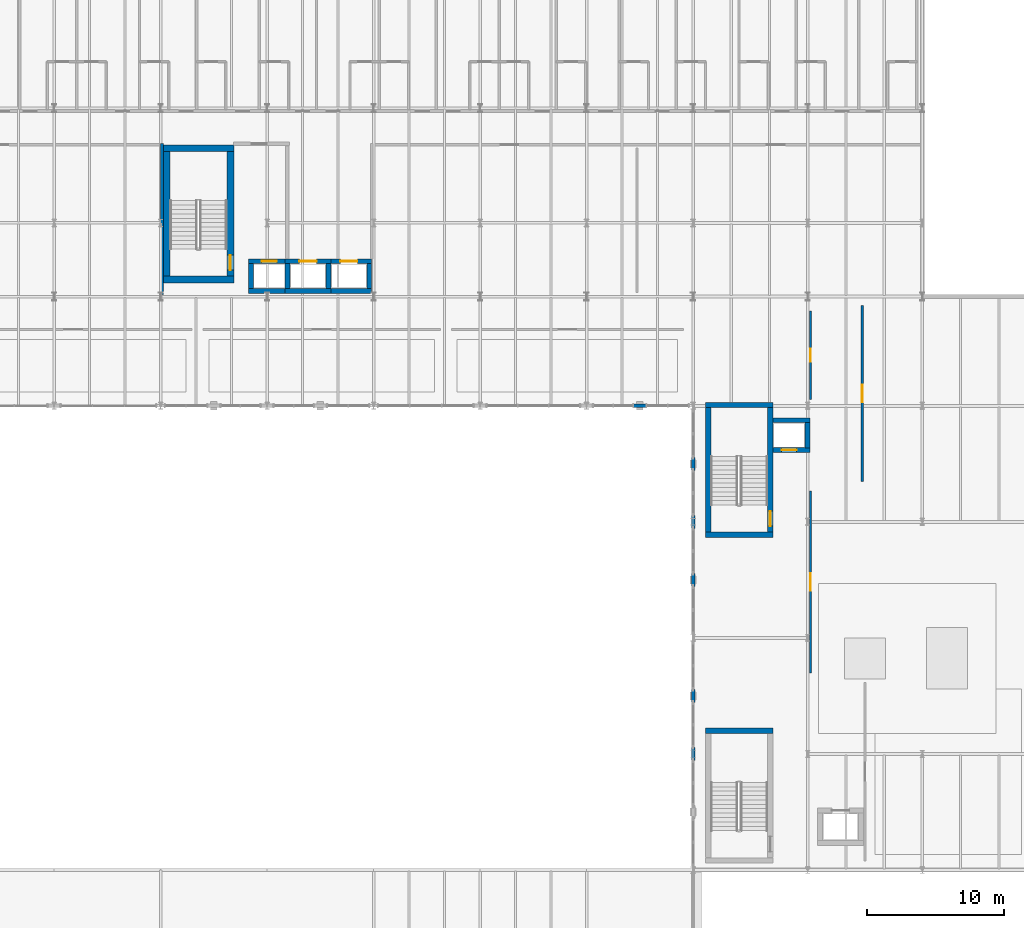
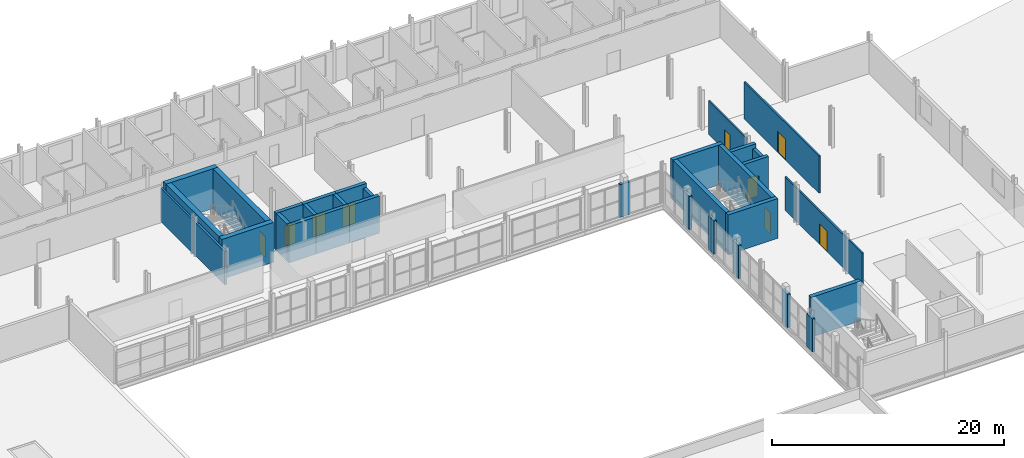
# One storey, part 45 of 58: 32 walls, 9 doors, 9 openings.
"""IFC4 building model written with IfcOpenShell, lengths in metres."""

from ifc_helpers import new_model, si_unit, direction, frame, frame_2d, origin, place, context, subcontext, project, spatial, rectangle, extrude, material, layer, layer_set, type_object, element, fill, save


model = new_model("IFC4")

# Units and contexts
model_context = context("Model", 3, precision=1e-05, world=origin(), true_north=direction((0.0, 1.0)))
body_context = subcontext(model_context, "Body", "Model", "MODEL_VIEW")
ifc_project = project(units=[si_unit("LENGTHUNIT", "METRE"), si_unit("AREAUNIT", "SQUARE_METRE"), si_unit("VOLUMEUNIT", "CUBIC_METRE"), si_unit("PLANEANGLEUNIT", "RADIAN"), si_unit("MASSUNIT", "GRAM", prefix="KILO")], contexts=[model_context])

# Site, building, storey
site_placement = place(None, origin())
site = spatial("IfcSite", under=ifc_project, at=site_placement, CompositionType="ELEMENT")
building_placement = place(site_placement, origin())
building = spatial("IfcBuilding", under=site, at=building_placement, Name="Sefraquen Railside Congress Hotel", CompositionType="ELEMENT")
storey_placement = place(building_placement, frame((0.0, 0.0, 16.199951171875)))
storey = spatial("IfcBuildingStorey", under=building, at=storey_placement, Name="L03", CompositionType="ELEMENT", Elevation=16.199951171875)

# Wall, opening, door
ifc_material_1 = material(Name="Concrete C50/60", Category="concrete")
ifc_layer_1 = layer(ifc_material_1, 0.35009765625)
ifc_layer_set_1 = layer_set([ifc_layer_1], Name="Concrete C50/60")
wall_type_1 = type_object("IfcWallType", Name="TW-CW-350", PredefinedType="SHEAR", material=ifc_layer_set_1)
wall_1_placement = place(storey_placement, frame((70.639892578125, 98.594970703125, 0.0), z_axis=(0.0, 0.0, 1.0), x_axis=(1.0, 0.0, 0.0)))
wall_1 = element("IfcWall", 1, at=wall_1_placement, inside=storey, type_object=wall_type_1, Name="Lift FL-03 shaft wall N L03", PredefinedType="SHEAR", context=body_context, shape_type="SweptSolid", body=[
    extrude(rectangle(XDim=2.690185546875, YDim=0.35009765625, at=frame_2d((1.34521484375, 0.0))), origin(), (0.0, 0.0, 1.0), 3.920166015625),
])
opening_1_placement = place(wall_1_placement, frame((0.969970703125, 0.0, 0.0)))
opening_1 = element("IfcOpeningElement", 2, at=opening_1_placement, cuts=wall_1, Name="Opening LD-01", PredefinedType="OPENING", context=body_context, shape_type="SweptSolid", body=[
    extrude(rectangle(XDim=1.10009765625, YDim=2.199951171875, at=frame_2d((0.550048828125, 1.10009765625))), frame((0.0, 0.18505859375, 0.0), z_axis=(0.0, -1.0, 0.0), x_axis=(1.0, 0.0, 0.0)), (0.0, 0.0, 1.0), 0.3701171875),
])
ifc_material_2 = material(Name="Brushed bronze stainless steel", Category="steel")
door_type_1 = type_object("IfcDoorType", Name="TD-LD-01", OperationType="NOTDEFINED", PredefinedType="DOOR", material=ifc_material_2)
door_1_placement = place(opening_1_placement, origin())
door_1 = element("IfcDoor", 3, at=door_1_placement, inside=storey, type_object=door_type_1, Name="Lift landing door FL-03 L03", OperationType="SLIDING_TO_LEFT", OverallHeight=2.199951171875, OverallWidth=1.10009765625, PredefinedType="DOOR", context=body_context, shape_type="SweptSolid", body=[
    extrude(rectangle(XDim=1.10009765625, YDim=2.199951171875, at=frame_2d((0.550048828125, 1.10009765625))), frame((0.0, 0.02490234375, 0.0), z_axis=(0.0, -1.0, 0.0), x_axis=(1.0, 0.0, 0.0)), (0.0, 0.0, 1.0), 0.050048828125),
])
fill(opening_1, door_1)

# Walls
wall_2_placement = place(storey_placement, frame((70.639892578125, 96.405029296875, 0.0), z_axis=(0.0, 0.0, 1.0), x_axis=(1.0, 0.0, 0.0)))
element("IfcWall", 4, at=wall_2_placement, inside=storey, type_object=wall_type_1, Name="Lift FL-03 shaft wall S L03", PredefinedType="SHEAR", context=body_context, shape_type="SweptSolid", body=[
    extrude(rectangle(XDim=2.690185546875, YDim=0.35009765625, at=frame_2d((1.34521484375, 0.0))), origin(), (0.0, 0.0, 1.0), 3.920166015625),
])
wall_3_placement = place(storey_placement, frame((70.81494140625, 96.580078125, 0.0), z_axis=(0.0, 0.0, 1.0), x_axis=(0.0, 1.0, 0.0)))
element("IfcWall", 5, at=wall_3_placement, inside=storey, type_object=wall_type_1, Name="Lift FL-03 shaft wall W L03", PredefinedType="SHEAR", context=body_context, shape_type="SweptSolid", body=[
    extrude(rectangle(XDim=1.83984375, YDim=0.35009765625, at=frame_2d((0.919921875, 0.0))), origin(), (0.0, 0.0, 1.0), 3.920166015625),
])

# Wall, opening, door
wall_4_placement = place(storey_placement, frame((73.330078125, 98.594970703125, 0.0), z_axis=(0.0, 0.0, 1.0), x_axis=(1.0, 0.0, 0.0)))
wall_4 = element("IfcWall", 6, at=wall_4_placement, inside=storey, type_object=wall_type_1, Name="Lift PL-05 shaft wall N L03", PredefinedType="SHEAR", context=body_context, shape_type="SweptSolid", body=[
    extrude(rectangle(XDim=3.33984375, YDim=0.35009765625, at=frame_2d((1.669921875, 0.0))), origin(), (0.0, 0.0, 1.0), 3.920166015625),
])
opening_2_placement = place(wall_4_placement, frame((1.044921875, 0.0, 0.0)))
opening_2 = element("IfcOpeningElement", 7, at=opening_2_placement, cuts=wall_4, Name="Opening LD-02", PredefinedType="OPENING", context=body_context, shape_type="SweptSolid", body=[
    extrude(rectangle(XDim=1.25, YDim=2.25, at=frame_2d((0.625, 1.125))), frame((0.0, 0.18505859375, 0.0), z_axis=(0.0, -1.0, 0.0), x_axis=(1.0, 0.0, 0.0)), (0.0, 0.0, 1.0), 0.3701171875),
])
ifc_material_3 = material(Name="Brushed stainless steel", Category="steel")
door_type_2 = type_object("IfcDoorType", Name="TD-LD-02", OperationType="NOTDEFINED", PredefinedType="DOOR", material=ifc_material_3)
door_2_placement = place(opening_2_placement, origin())
door_2 = element("IfcDoor", 8, at=door_2_placement, inside=storey, type_object=door_type_2, Name="Lift landing door PL-05 L03", OperationType="SLIDING_TO_LEFT", OverallHeight=2.25, OverallWidth=1.25, PredefinedType="DOOR", context=body_context, shape_type="SweptSolid", body=[
    extrude(rectangle(XDim=1.25, YDim=2.25, at=frame_2d((0.625, 1.125))), frame((0.0, 0.02490234375, 0.0), z_axis=(0.0, -1.0, 0.0), x_axis=(1.0, 0.0, 0.0)), (0.0, 0.0, 1.0), 0.050048828125),
])
fill(opening_2, door_2)

# Walls
wall_5_placement = place(storey_placement, frame((73.330078125, 96.405029296875, 0.0), z_axis=(0.0, 0.0, 1.0), x_axis=(1.0, 0.0, 0.0)))
element("IfcWall", 9, at=wall_5_placement, inside=storey, type_object=wall_type_1, Name="Lift PL-05 shaft wall S L03", PredefinedType="SHEAR", context=body_context, shape_type="SweptSolid", body=[
    extrude(rectangle(XDim=3.33984375, YDim=0.35009765625, at=frame_2d((1.669921875, 0.0))), origin(), (0.0, 0.0, 1.0), 3.920166015625),
])
for number, where, z_axis, x_axis, name in (
    (10, (73.5048828125, 96.580078125, 0.0), (0.0, 0.0, 1.0), (0.0, 1.0, 0.0), "Lift PL-05 shaft wall W L03"),
    (11, (76.4951171875, 96.580078125, 0.0), (0.0, 0.0, 1.0), (0.0, 1.0, 0.0), "Lift PL-05 shaft wall E L03"),
):
    element("IfcWall", number, at=place(storey_placement, frame(where, z_axis=z_axis, x_axis=x_axis)), inside=storey, type_object=wall_type_1, Name=name, PredefinedType="SHEAR", context=body_context, shape_type="SweptSolid", body=[
        extrude(rectangle(XDim=1.83984375, YDim=0.35009765625, at=frame_2d((0.919921875, 0.0))), origin(), (0.0, 0.0, 1.0), 3.920166015625),
    ])

# Wall, opening, door
wall_6_placement = place(storey_placement, frame((76.669921875, 98.594970703125, 0.0), z_axis=(0.0, 0.0, 1.0), x_axis=(1.0, 0.0, 0.0)))
wall_6 = element("IfcWall", 12, at=wall_6_placement, inside=storey, type_object=wall_type_1, Name="Lift PL-06 shaft wall N L03", PredefinedType="SHEAR", context=body_context, shape_type="SweptSolid", body=[
    extrude(rectangle(XDim=2.989990234375, YDim=0.35009765625, at=frame_2d((1.4951171875, 0.0))), origin(), (0.0, 0.0, 1.0), 3.920166015625),
])
opening_3_placement = place(wall_6_placement, frame((0.695068359375, 0.0, 0.0)))
opening_3 = element("IfcOpeningElement", 13, at=opening_3_placement, cuts=wall_6, Name="Opening LD-02", PredefinedType="OPENING", context=body_context, shape_type="SweptSolid", body=[
    extrude(rectangle(XDim=1.25, YDim=2.25, at=frame_2d((0.625, 1.125))), frame((0.0, 0.18505859375, 0.0), z_axis=(0.0, -1.0, 0.0), x_axis=(1.0, 0.0, 0.0)), (0.0, 0.0, 1.0), 0.3701171875),
])
door_3_placement = place(opening_3_placement, origin())
door_3 = element("IfcDoor", 14, at=door_3_placement, inside=storey, type_object=door_type_2, Name="Lift landing door PL-06 L03", OperationType="SLIDING_TO_LEFT", OverallHeight=2.25, OverallWidth=1.25, PredefinedType="DOOR", context=body_context, shape_type="SweptSolid", body=[
    extrude(rectangle(XDim=1.25, YDim=2.25, at=frame_2d((0.625, 1.125))), frame((0.0, 0.02490234375, 0.0), z_axis=(0.0, -1.0, 0.0), x_axis=(1.0, 0.0, 0.0)), (0.0, 0.0, 1.0), 0.050048828125),
])
fill(opening_3, door_3)

# Walls
wall_7_placement = place(storey_placement, frame((76.669921875, 96.405029296875, 0.0), z_axis=(0.0, 0.0, 1.0), x_axis=(1.0, 0.0, 0.0)))
element("IfcWall", 15, at=wall_7_placement, inside=storey, type_object=wall_type_1, Name="Lift PL-06 shaft wall S L03", PredefinedType="SHEAR", context=body_context, shape_type="SweptSolid", body=[
    extrude(rectangle(XDim=2.989990234375, YDim=0.35009765625, at=frame_2d((1.4951171875, 0.0))), origin(), (0.0, 0.0, 1.0), 3.920166015625),
])
wall_8_placement = place(storey_placement, frame((79.485107421875, 96.580078125, 0.0), z_axis=(0.0, 0.0, 1.0), x_axis=(0.0, 1.0, 0.0)))
element("IfcWall", 16, at=wall_8_placement, inside=storey, type_object=wall_type_1, Name="Lift PL-06 shaft wall E L03", PredefinedType="SHEAR", context=body_context, shape_type="SweptSolid", body=[
    extrude(rectangle(XDim=1.83984375, YDim=0.35009765625, at=frame_2d((0.919921875, 0.0))), origin(), (0.0, 0.0, 1.0), 3.510009765625),
])
wall_9_placement = place(storey_placement, frame((109.06005859375, 86.945068359375, 0.0), z_axis=(0.0, 0.0, 1.0), x_axis=(1.0, 0.0, 0.0)))
element("IfcWall", 17, at=wall_9_placement, inside=storey, type_object=wall_type_1, Name="Lift PL-07 shaft wall N L03", PredefinedType="SHEAR", context=body_context, shape_type="SweptSolid", body=[
    extrude(rectangle(XDim=2.68994140625, YDim=0.35009765625, at=frame_2d((1.344970703125, 0.0))), origin(), (0.0, 0.0, 1.0), 3.920166015625),
])

# Wall, opening, door
wall_10_placement = place(storey_placement, frame((109.06005859375, 84.7548828125, 0.0), z_axis=(0.0, 0.0, 1.0), x_axis=(1.0, 0.0, 0.0)))
wall_10 = element("IfcWall", 18, at=wall_10_placement, inside=storey, type_object=wall_type_1, Name="Lift PL-07 shaft wall S L03", PredefinedType="SHEAR", context=body_context, shape_type="SweptSolid", body=[
    extrude(rectangle(XDim=2.68994140625, YDim=0.35009765625, at=frame_2d((1.344970703125, 0.0))), origin(), (0.0, 0.0, 1.0), 3.920166015625),
])
opening_4_placement = place(wall_10_placement, frame((0.6201171875, 0.0, 0.0)))
opening_4 = element("IfcOpeningElement", 19, at=opening_4_placement, cuts=wall_10, Name="Opening LD-01", PredefinedType="OPENING", context=body_context, shape_type="SweptSolid", body=[
    extrude(rectangle(XDim=1.10009765625, YDim=2.199951171875, at=frame_2d((0.550048828125, 1.10009765625))), frame((0.0, 0.18505859375, 0.0), z_axis=(0.0, -1.0, 0.0), x_axis=(1.0, 0.0, 0.0)), (0.0, 0.0, 1.0), 0.3701171875),
])
door_4_placement = place(opening_4_placement, origin())
door_4 = element("IfcDoor", 20, at=door_4_placement, inside=storey, type_object=door_type_1, Name="Lift landing door PL-07 L03", OperationType="SLIDING_TO_LEFT", OverallHeight=2.199951171875, OverallWidth=1.10009765625, PredefinedType="DOOR", context=body_context, shape_type="SweptSolid", body=[
    extrude(rectangle(XDim=1.10009765625, YDim=2.199951171875, at=frame_2d((0.550048828125, 1.10009765625))), frame((0.0, 0.02490234375, 0.0), z_axis=(0.0, -1.0, 0.0), x_axis=(1.0, 0.0, 0.0)), (0.0, 0.0, 1.0), 0.050048828125),
])
fill(opening_4, door_4)

# Walls
wall_11_placement = place(storey_placement, frame((111.574951171875, 84.929931640625, 0.0), z_axis=(0.0, 0.0, 1.0), x_axis=(0.0, 1.0, 0.0)))
element("IfcWall", 21, at=wall_11_placement, inside=storey, type_object=wall_type_1, Name="Lift PL-07 shaft wall E L03", PredefinedType="SHEAR", context=body_context, shape_type="SweptSolid", body=[
    extrude(rectangle(XDim=1.840087890625, YDim=0.35009765625, at=frame_2d((0.919921875, 0.0))), origin(), (0.0, 0.0, 1.0), 3.510009765625),
])
ifc_layer_2 = layer(ifc_material_1, 0.39990234375)
ifc_layer_set_2 = layer_set([ifc_layer_2], Name="Concrete C50/60")
wall_type_2 = type_object("IfcWallType", Name="TW-CW-400", PredefinedType="SHEAR", material=ifc_layer_set_2)
for number, where, z_axis, x_axis, name in (
    (22, (104.10009765625, 88.06201171875, 0.0), (0.0, 0.0, 1.0), (1.0, 0.0, 0.0), "Core shear wall ST-M01 N L03"),
    (23, (104.10009765625, 78.550048828125, 0.0), (0.0, 0.0, 1.0), (1.0, 0.0, 0.0), "Core shear wall ST-M01 S L03"),
):
    element("IfcWall", number, at=place(storey_placement, frame(where, z_axis=z_axis, x_axis=x_axis)), inside=storey, type_object=wall_type_2, Name=name, PredefinedType="SHEAR", context=body_context, shape_type="SweptSolid", body=[
        extrude(rectangle(XDim=4.9599609375, YDim=0.39990234375, at=frame_2d((2.47998046875, 0.0))), origin(), (0.0, 0.0, 1.0), 4.199951171875),
    ])
wall_12_placement = place(storey_placement, frame((104.300048828125, 78.75, 0.0), z_axis=(0.0, 0.0, 1.0), x_axis=(0.0, 1.0, 0.0)))
element("IfcWall", 24, at=wall_12_placement, inside=storey, type_object=wall_type_2, Name="Core shear wall ST-M01 W L03", PredefinedType="SHEAR", context=body_context, shape_type="SweptSolid", body=[
    extrude(rectangle(XDim=9.112060546875, YDim=0.39990234375, at=frame_2d((4.55615234375, 0.0))), origin(), (0.0, 0.0, 1.0), 4.199951171875),
])

# Wall, opening, door
wall_13_placement = place(storey_placement, frame((108.860107421875, 78.75, 0.0), z_axis=(0.0, 0.0, 1.0), x_axis=(0.0, 1.0, 0.0)))
wall_13 = element("IfcWall", 25, at=wall_13_placement, inside=storey, type_object=wall_type_2, Name="Core shear wall ST-M01 E L03", PredefinedType="SHEAR", context=body_context, shape_type="SweptSolid", body=[
    extrude(rectangle(XDim=9.112060546875, YDim=0.39990234375, at=frame_2d((4.55615234375, 0.0))), origin(), (0.0, 0.0, 1.0), 4.199951171875),
])
opening_5_placement = place(wall_13_placement, frame((0.43994140625, 0.0, 0.0)))
opening_5 = element("IfcOpeningElement", 26, at=opening_5_placement, cuts=wall_13, Name="Opening FD-04", PredefinedType="OPENING", context=body_context, shape_type="SweptSolid", body=[
    extrude(rectangle(XDim=1.10009765625, YDim=2.199951171875, at=frame_2d((0.550048828125, 1.10009765625))), frame((0.0, 0.2099609375, 0.0), z_axis=(0.0, -1.0, 0.0), x_axis=(1.0, 0.0, 0.0)), (0.0, 0.0, 1.0), 0.419921875),
])
ifc_material_4 = material(Name="Fire-rated steel", Category="steel")
door_type_3 = type_object("IfcDoorType", Name="TD-FD-04", OperationType="NOTDEFINED", PredefinedType="DOOR", material=ifc_material_4)
door_5_placement = place(opening_5_placement, origin())
door_5 = element("IfcDoor", 27, at=door_5_placement, inside=storey, type_object=door_type_3, Name="Pressurized stair ST-M01 fire door L03", OperationType="SINGLE_SWING_LEFT", OverallHeight=2.199951171875, OverallWidth=1.10009765625, PredefinedType="DOOR", context=body_context, shape_type="SweptSolid", body=[
    extrude(rectangle(XDim=1.10009765625, YDim=2.199951171875, at=frame_2d((0.550048828125, 1.10009765625))), frame((0.0, 0.02490234375, 0.0), z_axis=(0.0, -1.0, 0.0), x_axis=(1.0, 0.0, 0.0)), (0.0, 0.0, 1.0), 0.050048828125),
])
fill(opening_5, door_5)

# Walls
wall_14_placement = place(storey_placement, frame((104.10009765625, 64.2119140625, 0.0), z_axis=(0.0, 0.0, 1.0), x_axis=(1.0, 0.0, 0.0)))
element("IfcWall", 28, at=wall_14_placement, inside=storey, type_object=wall_type_2, Name="Core shear wall ST-M02 N L03", PredefinedType="SHEAR", context=body_context, shape_type="SweptSolid", body=[
    extrude(rectangle(XDim=4.9599609375, YDim=0.39990234375, at=frame_2d((2.47998046875, 0.0))), origin(), (0.0, 0.0, 1.0), 4.199951171875),
])
ifc_layer_3 = layer(ifc_material_1, 0.5)
ifc_layer_set_3 = layer_set([ifc_layer_3], Name="Concrete C50/60")
wall_type_3 = type_object("IfcWallType", Name="TW-CW-500", PredefinedType="SHEAR", material=ifc_layer_set_3)
for number, where, z_axis, x_axis, name in (
    (29, (64.39990234375, 106.862060546875, 0.0), (0.0, 0.0, 1.0), (1.0, 0.0, 0.0), "Core shear wall ST-H03 N L03"),
    (30, (64.39990234375, 97.25, 0.0), (0.0, 0.0, 1.0), (1.0, 0.0, 0.0), "Core shear wall ST-H03 S L03"),
):
    element("IfcWall", number, at=place(storey_placement, frame(where, z_axis=z_axis, x_axis=x_axis)), inside=storey, type_object=wall_type_3, Name=name, PredefinedType="SHEAR", context=body_context, shape_type="SweptSolid", body=[
        extrude(rectangle(XDim=5.16015625, YDim=0.5, at=frame_2d((2.580078125, 0.0))), origin(), (0.0, 0.0, 1.0), 4.199951171875),
    ])
wall_15_placement = place(storey_placement, frame((64.64990234375, 97.5, 0.0), z_axis=(0.0, 0.0, 1.0), x_axis=(0.0, 1.0, 0.0)))
element("IfcWall", 31, at=wall_15_placement, inside=storey, type_object=wall_type_3, Name="Core shear wall ST-H03 W L03", PredefinedType="SHEAR", context=body_context, shape_type="SweptSolid", body=[
    extrude(rectangle(XDim=9.112060546875, YDim=0.5, at=frame_2d((4.55615234375, 0.0))), origin(), (0.0, 0.0, 1.0), 4.199951171875),
])

# Wall, opening, door
wall_16_placement = place(storey_placement, frame((69.31005859375, 97.5, 0.0), z_axis=(0.0, 0.0, 1.0), x_axis=(0.0, 1.0, 0.0)))
wall_16 = element("IfcWall", 32, at=wall_16_placement, inside=storey, type_object=wall_type_3, Name="Core shear wall ST-H03 E L03", PredefinedType="SHEAR", context=body_context, shape_type="SweptSolid", body=[
    extrude(rectangle(XDim=9.112060546875, YDim=0.5, at=frame_2d((4.55615234375, 0.0))), origin(), (0.0, 0.0, 1.0), 4.199951171875),
])
opening_6_placement = place(wall_16_placement, frame((0.43994140625, 0.0, 0.0)))
opening_6 = element("IfcOpeningElement", 33, at=opening_6_placement, cuts=wall_16, Name="Opening FD-04", PredefinedType="OPENING", context=body_context, shape_type="SweptSolid", body=[
    extrude(rectangle(XDim=1.10009765625, YDim=2.199951171875, at=frame_2d((0.550048828125, 1.10009765625))), frame((0.0, 0.260009765625, 0.0), z_axis=(0.0, -1.0, 0.0), x_axis=(1.0, 0.0, 0.0)), (0.0, 0.0, 1.0), 0.52001953125),
])
door_6_placement = place(opening_6_placement, origin())
door_6 = element("IfcDoor", 34, at=door_6_placement, inside=storey, type_object=door_type_3, Name="Pressurized stair ST-H03 fire door L03", OperationType="SINGLE_SWING_LEFT", OverallHeight=2.199951171875, OverallWidth=1.10009765625, PredefinedType="DOOR", context=body_context, shape_type="SweptSolid", body=[
    extrude(rectangle(XDim=1.10009765625, YDim=2.199951171875, at=frame_2d((0.550048828125, 1.10009765625))), frame((0.0, 0.02490234375, 0.0), z_axis=(0.0, -1.0, 0.0), x_axis=(1.0, 0.0, 0.0)), (0.0, 0.0, 1.0), 0.050048828125),
])
fill(opening_6, door_6)

# Walls
ifc_material_5 = material(Name="Ochre Rabat calcarenite limestone and Concrete C40/50 backing", Category="masonry")
ifc_layer_4 = layer(ifc_material_5, 0.280029296875)
ifc_layer_set_4 = layer_set([ifc_layer_4], Name="Ochre Rabat calcarenite limestone and Concrete C40/50 backing")
wall_type_4 = type_object("IfcWallType", Name="TW-EW-280", PredefinedType="STANDARD", material=ifc_layer_set_4)
wall_17_placement = place(storey_placement, frame((98.820068359375, 88.0, 0.0), z_axis=(0.0, 0.0, 1.0), x_axis=(1.0, 0.0, 0.0)))
element("IfcWall", 35, at=wall_17_placement, inside=storey, type_object=wall_type_4, Name="Meeting Wing L03 courtyard north curtain wall 3 column pier closure 3", PredefinedType="STANDARD", context=body_context, shape_type="SweptSolid", body=[
    extrude(rectangle(XDim=0.9599609375, YDim=0.260009765625, at=frame_2d((0.47998046875, 0.0))), origin(), (0.0, 0.0, 1.0), 3.4599609375),
])
for number, where, z_axis, x_axis, name in (
    (36, (103.199951171875, 62.02001953125, 0.0), (0.0, 0.0, 1.0), (0.0, 1.0, 0.0), "Meeting Wing L03 courtyard east curtain wall column pier closure 2"),
    (37, (103.199951171875, 66.27001953125, 0.0), (0.0, 0.0, 1.0), (0.0, 1.0, 0.0), "Meeting Wing L03 courtyard east curtain wall column pier closure 3"),
    (38, (103.199951171875, 74.77001953125, 0.0), (0.0, 0.0, 1.0), (0.0, 1.0, 0.0), "Meeting Wing L03 courtyard east curtain wall column pier closure 1"),
    (39, (103.199951171875, 79.02001953125, 0.0), (0.0, 0.0, 1.0), (0.0, 1.0, 0.0), "Meeting Wing L03 courtyard east curtain wall column pier closure 2"),
    (40, (103.199951171875, 83.27001953125, 0.0), (0.0, 0.0, 1.0), (0.0, 1.0, 0.0), "Meeting Wing L03 courtyard east curtain wall column pier closure 3"),
):
    element("IfcWall", number, at=place(storey_placement, frame(where, z_axis=z_axis, x_axis=x_axis)), inside=storey, type_object=wall_type_4, Name=name, PredefinedType="STANDARD", context=body_context, shape_type="SweptSolid", body=[
        extrude(rectangle(XDim=0.9599609375, YDim=0.260009765625, at=frame_2d((0.47998046875, 0.0))), origin(), (0.0, 0.0, 1.0), 3.510009765625),
    ])

# Wall, opening, door
ifc_material_6 = material(Name="Moisture-resistant gypsum board", Category="gypsum")
ifc_layer_5 = layer(ifc_material_6, 0.159912109375)
ifc_layer_set_5 = layer_set([ifc_layer_5], Name="Moisture-resistant gypsum board")
wall_type_5 = type_object("IfcWallType", Name="TW-PW-160", PredefinedType="PARTITIONING", material=ifc_layer_set_5)
wall_18_placement = place(storey_placement, frame((111.800048828125, 68.449951171875, 0.0), z_axis=(0.0, 0.0, 1.0), x_axis=(0.0, 1.0, 0.0)))
wall_18 = element("IfcWall", 41, at=wall_18_placement, inside=storey, type_object=wall_type_5, Name="Conference Suite 08 enclosure wall", PredefinedType="PARTITIONING", context=body_context, shape_type="SweptSolid", body=[
    extrude(rectangle(XDim=13.300048828125, YDim=0.159912109375, at=frame_2d((6.64990234375, 0.0))), origin(), (0.0, 0.0, 1.0), 3.510009765625),
])
opening_7_placement = place(wall_18_placement, frame((6.0, 0.0, 0.0)))
opening_7 = element("IfcOpeningElement", 42, at=opening_7_placement, cuts=wall_18, Name="Opening MD-02", PredefinedType="OPENING", context=body_context, shape_type="SweptSolid", body=[
    extrude(rectangle(XDim=1.300048828125, YDim=2.199951171875, at=frame_2d((0.64990234375, 1.10009765625))), frame((0.0, 0.08984375, 0.0), z_axis=(0.0, -1.0, 0.0), x_axis=(1.0, 0.0, 0.0)), (0.0, 0.0, 1.0), 0.179931640625),
])
ifc_material_7 = material(Name="Acoustic cedar veneer", Category="wood")
door_type_4 = type_object("IfcDoorType", Name="TD-MD-02", OperationType="NOTDEFINED", PredefinedType="DOOR", material=ifc_material_7)
door_7_placement = place(opening_7_placement, origin())
door_7 = element("IfcDoor", 43, at=door_7_placement, inside=storey, type_object=door_type_4, Name="Conference Suite 08 entrance door", OperationType="SINGLE_SWING_RIGHT", OverallHeight=2.199951171875, OverallWidth=1.300048828125, PredefinedType="DOOR", context=body_context, shape_type="SweptSolid", body=[
    extrude(rectangle(XDim=1.300048828125, YDim=2.199951171875, at=frame_2d((0.64990234375, 1.10009765625))), frame((0.0, 0.02490234375, 0.0), z_axis=(0.0, -1.0, 0.0), x_axis=(1.0, 0.0, 0.0)), (0.0, 0.0, 1.0), 0.050048828125),
])
fill(opening_7, door_7)

wall_19_placement = place(storey_placement, frame((115.60009765625, 82.449951171875, 0.0), z_axis=(0.0, 0.0, 1.0), x_axis=(0.0, 1.0, 0.0)))
wall_19 = element("IfcWall", 44, at=wall_19_placement, inside=storey, type_object=wall_type_5, Name="Diplomatic Briefing Room 01 enclosure wall", PredefinedType="PARTITIONING", context=body_context, shape_type="SweptSolid", body=[
    extrude(rectangle(XDim=12.900146484375, YDim=0.159912109375, at=frame_2d((6.4501953125, 0.0))), origin(), (0.0, 0.0, 1.0), 3.920166015625),
])
opening_8_placement = place(wall_19_placement, frame((5.800048828125, 0.0, 0.0)))
opening_8 = element("IfcOpeningElement", 45, at=opening_8_placement, cuts=wall_19, Name="Opening MD-02", PredefinedType="OPENING", context=body_context, shape_type="SweptSolid", body=[
    extrude(rectangle(XDim=1.300048828125, YDim=2.199951171875, at=frame_2d((0.64990234375, 1.10009765625))), frame((0.0, 0.08984375, 0.0), z_axis=(0.0, -1.0, 0.0), x_axis=(1.0, 0.0, 0.0)), (0.0, 0.0, 1.0), 0.179931640625),
])
door_8_placement = place(opening_8_placement, origin())
door_8 = element("IfcDoor", 46, at=door_8_placement, inside=storey, type_object=door_type_4, Name="Diplomatic Briefing Room 01 entrance door", OperationType="SINGLE_SWING_LEFT", OverallHeight=2.199951171875, OverallWidth=1.300048828125, PredefinedType="DOOR", context=body_context, shape_type="SweptSolid", body=[
    extrude(rectangle(XDim=1.300048828125, YDim=2.199951171875, at=frame_2d((0.64990234375, 1.10009765625))), frame((0.0, 0.02490234375, 0.0), z_axis=(0.0, -1.0, 0.0), x_axis=(1.0, 0.0, 0.0)), (0.0, 0.0, 1.0), 0.050048828125),
])
fill(opening_8, door_8)

wall_20_placement = place(storey_placement, frame((111.800048828125, 88.449951171875, 0.0), z_axis=(0.0, 0.0, 1.0), x_axis=(0.0, 1.0, 0.0)))
wall_20 = element("IfcWall", 47, at=wall_20_placement, inside=storey, type_object=wall_type_5, Name="Meeting Wing L03 Accessible WC enclosure wall", PredefinedType="PARTITIONING", context=body_context, shape_type="SweptSolid", body=[
    extrude(rectangle(XDim=6.5, YDim=0.159912109375, at=frame_2d((3.25, 0.0))), origin(), (0.0, 0.0, 1.0), 3.510009765625),
])
opening_9_placement = place(wall_20_placement, frame((2.780029296875, 0.0, 0.0)))
opening_9 = element("IfcOpeningElement", 48, at=opening_9_placement, cuts=wall_20, Name="Opening ID-01", PredefinedType="OPENING", context=body_context, shape_type="SweptSolid", body=[
    extrude(rectangle(XDim=0.93994140625, YDim=2.14990234375, at=frame_2d((0.469970703125, 1.074951171875))), frame((0.0, 0.08984375, 0.0), z_axis=(0.0, -1.0, 0.0), x_axis=(1.0, 0.0, 0.0)), (0.0, 0.0, 1.0), 0.179931640625),
])
ifc_material_8 = material(Name="Lacquered cedar joinery", Category="wood")
door_type_5 = type_object("IfcDoorType", Name="TD-ID-01", OperationType="NOTDEFINED", PredefinedType="DOOR", material=ifc_material_8)
door_9_placement = place(opening_9_placement, origin())
door_9 = element("IfcDoor", 49, at=door_9_placement, inside=storey, type_object=door_type_5, Name="Meeting Wing L03 Accessible WC entrance door", OperationType="SINGLE_SWING_RIGHT", OverallHeight=2.14990234375, OverallWidth=0.93994140625, PredefinedType="DOOR", context=body_context, shape_type="SweptSolid", body=[
    extrude(rectangle(XDim=0.93994140625, YDim=2.14990234375, at=frame_2d((0.469970703125, 1.074951171875))), frame((0.0, 0.02490234375, 0.0), z_axis=(0.0, -1.0, 0.0), x_axis=(1.0, 0.0, 0.0)), (0.0, 0.0, 1.0), 0.050048828125),
])
fill(opening_9, door_9)

# Wall
ifc_material_9 = material(Name="Acoustic gypsum board on metal stud", Category="gypsum")
ifc_layer_6 = layer(ifc_material_9, 0.199951171875)
ifc_layer_set_6 = layer_set([ifc_layer_6], Name="Acoustic gypsum board on metal stud")
wall_type_6 = type_object("IfcWallType", Name="TW-PW-200", PredefinedType="PARTITIONING", material=ifc_layer_set_6)
wall_21_placement = place(storey_placement, frame((64.300048828125, 96.139892578125, 0.0), z_axis=(0.0, 0.0, 1.0), x_axis=(0.0, 1.0, 0.0)))
element("IfcWall", 50, at=wall_21_placement, inside=storey, type_object=wall_type_6, Name="Hotel L03 south-mid east end fire-rated partition", PredefinedType="PARTITIONING", context=body_context, shape_type="SweptSolid", body=[
    extrude(rectangle(XDim=11.080078125, YDim=0.199951171875, at=frame_2d((5.5400390625, 0.0))), origin(), (0.0, 0.0, 1.0), 3.510009765625),
])

save(model, "model.ifc")
